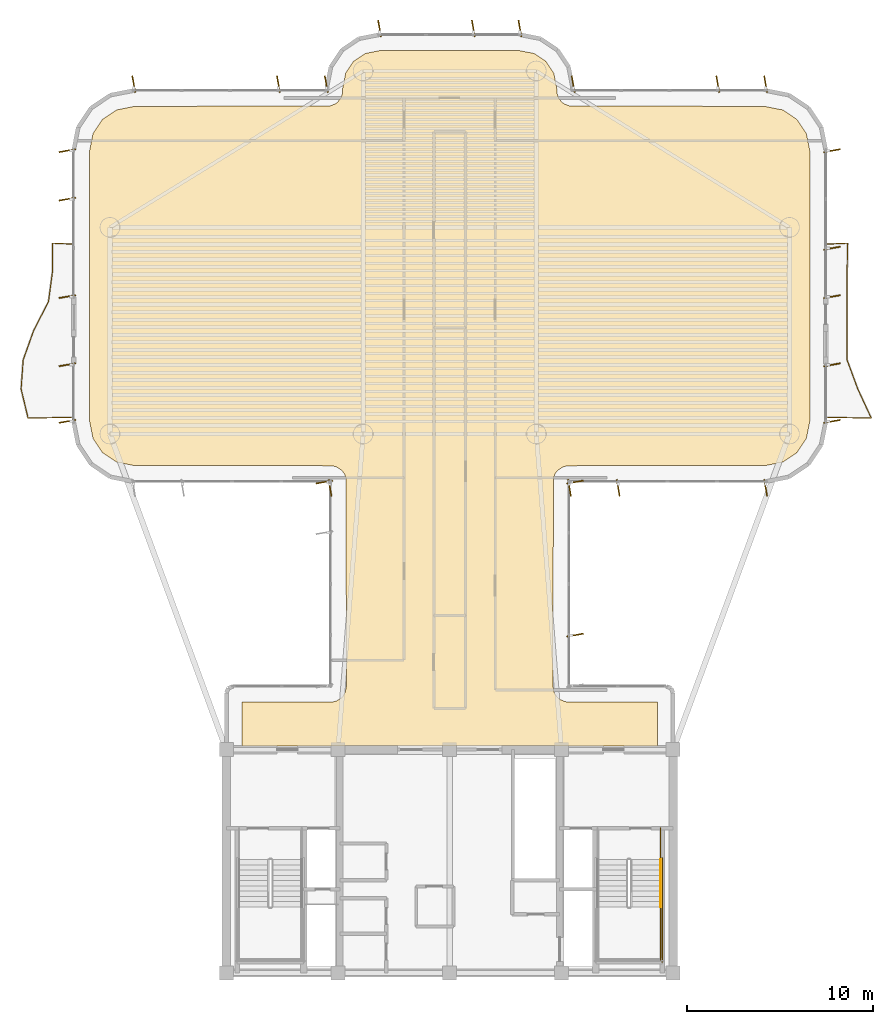
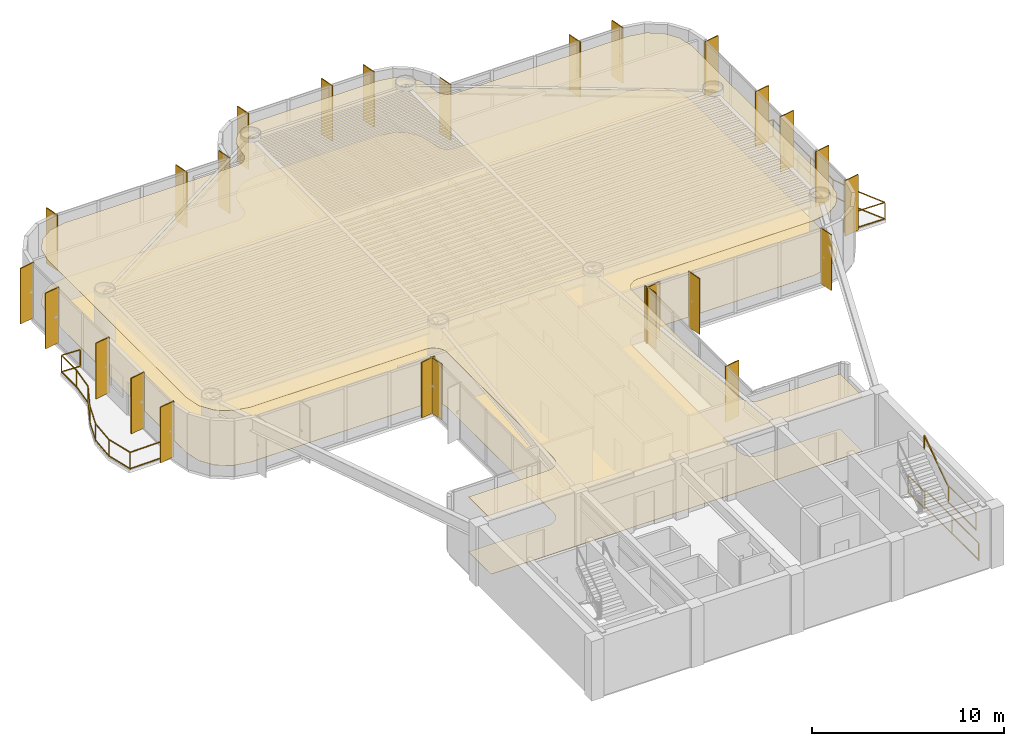
# One storey, part 13 of 13: 26 shading devices, 6 railings, 2 coverings.
"""IFC4 building model written with IfcOpenShell, lengths in metres."""

import ifcopenshell
import ifcopenshell.guid

model = None  # the IFC model being written
_history = None  # IfcOwnerHistory: only IFC2X3 demands one
_inside = {}  # id of a spatial element -> (the spatial element, [elements in it])
_under = {}  # id of a project, library or spatial element -> (it, [spatial elements below it])
_declared = {}  # id of a project -> (the project, [libraries it declares])
_typed = {}  # id of a type object -> (the type object, [elements of that type])
_made_of = {}  # id of a material, layer set ... -> (it, [elements and type objects made of it])


def new_model(schema):
    """Start an empty IFC model of exactly this schema.

    Asked for "IFC4X3", IfcOpenShell would pick the latest addendum, in which some entities
    have other attributes; the version numbers below select the first issue.
    IFC2X3 requires an IfcOwnerHistory on every rooted entity: one is made here for all.
    """
    global model, _history
    if schema == "IFC4X3":
        model = ifcopenshell.file(schema_version=(4, 3, 0, 0))
    else:
        model = ifcopenshell.file(schema=schema)
    _inside.clear()
    _under.clear()
    _declared.clear()
    _typed.clear()
    _made_of.clear()
    _history = None
    if model.schema == "IFC2X3":
        org = make("IfcOrganization", Name="unknown")
        user = make(
            "IfcPersonAndOrganization",
            ThePerson=make("IfcPerson", FamilyName="unknown"),
            TheOrganization=org,
        )
        app = make(
            "IfcApplication",
            ApplicationDeveloper=org,
            Version="unknown",
            ApplicationFullName="unknown",
            ApplicationIdentifier="unknown",
        )
        _history = make(
            "IfcOwnerHistory",
            OwningUser=user,
            OwningApplication=app,
            ChangeAction="ADDED",
            CreationDate=0,
        )
    return model


def make(cls, **values):
    """One entity of the class cls with the attributes given. An attribute that is None is left unset."""
    return model.create_entity(
        cls, **{name: value for name, value in values.items() if value is not None}
    )


def rooted(cls, **values):
    """An entity with a GlobalId (a new one), such as an element, a storey or a relation."""
    return make(cls, GlobalId=ifcopenshell.guid.new(), OwnerHistory=_history, **values)


def si_unit(unit_type, name, prefix=None):
    """IfcSIUnit, for example si_unit("LENGTHUNIT", "METRE", prefix="MILLI")."""
    return make("IfcSIUnit", UnitType=unit_type, Prefix=prefix, Name=name)


def assignment(units):
    """IfcUnitAssignment: the units of a project."""
    return None if units is None else make("IfcUnitAssignment", Units=units)


def point(xyz):
    """IfcCartesianPoint."""
    return None if xyz is None else make("IfcCartesianPoint", Coordinates=xyz)


def direction(xyz):
    """IfcDirection."""
    return None if xyz is None else make("IfcDirection", DirectionRatios=xyz)


def frame(location, z_axis=None, x_axis=None):
    """IfcAxis2Placement3D, a coordinate frame: its origin and axes. An axis left out is left unset."""
    return make(
        "IfcAxis2Placement3D",
        Location=point(location),
        Axis=direction(z_axis),
        RefDirection=direction(x_axis),
    )


def frame_2d(location, x_axis=None):
    """IfcAxis2Placement2D, a coordinate frame in the plane: its origin and x axis."""
    return make(
        "IfcAxis2Placement2D", Location=point(location), RefDirection=direction(x_axis)
    )


def origin():
    """The frame at (0, 0, 0) with its axes left unset."""
    return frame((0.0, 0.0, 0.0))


def origin_2d():
    """The frame at (0, 0) in the plane with its x axis left unset."""
    return frame_2d((0.0, 0.0))


def place(relative_to, where):
    """IfcLocalPlacement: puts the frame where relative to a parent placement (None: the world)."""
    return make(
        "IfcLocalPlacement", PlacementRelTo=relative_to, RelativePlacement=where
    )


def context(
    kind, dimensions, precision=None, world=None, true_north=None, identifier=None
):
    """IfcGeometricRepresentationContext, for example the 3D "Model" context."""
    return make(
        "IfcGeometricRepresentationContext",
        ContextIdentifier=identifier,
        ContextType=kind,
        CoordinateSpaceDimension=dimensions,
        Precision=precision,
        WorldCoordinateSystem=world,
        TrueNorth=true_north,
    )


def subcontext(parent, identifier, kind, view, scale=None):
    """IfcGeometricRepresentationSubContext, for example "Body" below "Model"."""
    return make(
        "IfcGeometricRepresentationSubContext",
        ContextIdentifier=identifier,
        ContextType=kind,
        ParentContext=parent,
        TargetScale=scale,
        TargetView=view,
    )


def project(units=None, contexts=None):
    """IfcProject with its units and contexts."""
    return rooted(
        "IfcProject",
        Name="project",
        RepresentationContexts=contexts,
        UnitsInContext=assignment(units),
    )


def spatial(cls, under=None, at=None, **own):
    """A site, building, storey or space (cls), placed at a placement, below another one or the project."""
    s = rooted(cls, ObjectPlacement=at, **own)
    if under is not None:
        _under.setdefault(under.id(), (under, []))[1].append(s)
    return s


def polyline(points):
    """IfcPolyline through the points."""
    return make("IfcPolyline", Points=[point(p) for p in points])


def profile(cls, at=None, kind="AREA", **sizes):
    """A parametric profile (cls). Its sizes go by their IFC names, for example OverallWidth=200.0."""
    return make(cls, ProfileType=kind, Position=at, **sizes)


def rectangle(**sizes):
    """IfcRectangleProfileDef."""
    return profile("IfcRectangleProfileDef", **sizes)


def outline(outer, holes=None, kind="AREA"):
    """IfcArbitraryClosedProfileDef: a profile drawn as a closed curve; with holes, ...WithVoids."""
    if holes is None:
        return make("IfcArbitraryClosedProfileDef", ProfileType=kind, OuterCurve=outer)
    return make(
        "IfcArbitraryProfileDefWithVoids",
        ProfileType=kind,
        OuterCurve=outer,
        InnerCurves=holes,
    )


def extrude(swept, where, along, depth):
    """IfcExtrudedAreaSolid: the profile swept, set in the frame where, extruded along a direction by depth."""
    return make(
        "IfcExtrudedAreaSolid",
        SweptArea=swept,
        Position=where,
        ExtrudedDirection=direction(along),
        Depth=depth,
    )


def shape(context_of_items, identifier, shape_type, items):
    """IfcShapeRepresentation: the items that make up one representation, for example the "Body"."""
    return make(
        "IfcShapeRepresentation",
        ContextOfItems=context_of_items,
        RepresentationIdentifier=identifier,
        RepresentationType=shape_type,
        Items=items,
    )


def source(mapping_origin, context_of_items, identifier, shape_type, items):
    """IfcRepresentationMap: a shape defined once, which mapped items show again and again."""
    return make(
        "IfcRepresentationMap",
        MappingOrigin=mapping_origin,
        MappedRepresentation=shape(context_of_items, identifier, shape_type, items),
    )


def transform(
    local_origin,
    x_axis=None,
    y_axis=None,
    z_axis=None,
    scale=None,
    scale2=None,
    scale3=None,
    uniform=True,
):
    """IfcCartesianTransformationOperator3D, or its non-uniform kind. x_axis, y_axis, z_axis: its Axis1, 2, 3."""
    if uniform:
        return make(
            "IfcCartesianTransformationOperator3D",
            Axis1=direction(x_axis),
            Axis2=direction(y_axis),
            LocalOrigin=point(local_origin),
            Scale=scale,
            Axis3=direction(z_axis),
        )
    return make(
        "IfcCartesianTransformationOperator3DnonUniform",
        Axis1=direction(x_axis),
        Axis2=direction(y_axis),
        LocalOrigin=point(local_origin),
        Scale=scale,
        Axis3=direction(z_axis),
        Scale2=scale2,
        Scale3=scale3,
    )


def mapped(mapping_source, mapping_target):
    """IfcMappedItem: shows the shape of a source again, moved by a transform."""
    return make(
        "IfcMappedItem", MappingSource=mapping_source, MappingTarget=mapping_target
    )


def material(Name=None, Category=None):
    """IfcMaterial."""
    return make("IfcMaterial", Name=Name, Category=Category)


def layer(
    of_material, thickness, ventilated=None, Name=None, Category=None, Priority=None
):
    """IfcMaterialLayer: one layer of a wall or slab, of a material (None: an air gap)."""
    return make(
        "IfcMaterialLayer",
        Material=of_material,
        LayerThickness=thickness,
        IsVentilated=ventilated,
        Name=Name,
        Category=Category,
        Priority=Priority,
    )


def layer_set(layers, Name=None):
    """IfcMaterialLayerSet."""
    return make("IfcMaterialLayerSet", MaterialLayers=layers, LayerSetName=Name)


def material_profile(
    of_material, cross_section, Name=None, Category=None, Priority=None
):
    """IfcMaterialProfile: a cross section and its material."""
    return make(
        "IfcMaterialProfile",
        Name=Name,
        Material=of_material,
        Profile=cross_section,
        Priority=Priority,
        Category=Category,
    )


def profile_set(profiles, Name=None, composite=None):
    """IfcMaterialProfileSet."""
    return make(
        "IfcMaterialProfileSet",
        Name=Name,
        MaterialProfiles=profiles,
        CompositeProfile=composite,
    )


def made_of(thing, what):
    """Note that an element or type object is made of a material, layer set ...; save() writes the relation."""
    if what is not None:
        _made_of.setdefault(what.id(), (what, []))[1].append(thing)
    return thing


def type_object(cls, material=None, **own):
    """A type object (cls), such as IfcWallType, which elements share."""
    return made_of(rooted(cls, **own), material)


def element(
    cls,
    number,
    at=None,
    inside=None,
    cuts=None,
    type_object=None,
    material=None,
    context=None,
    identifier="Body",
    shape_type=None,
    held_by="IfcProductDefinitionShape",
    body=None,
    shapes=None,
    **own,
):
    """One element of the class cls, such as IfcWall. Its Tag is "e" and its number.

    at: its placement. inside: the storey or other place that contains it. cuts: it is an
    opening in that element (IfcRelVoidsElement). A single representation is given by context,
    identifier, shape_type and body (its items); several are given by shapes. held_by: the class
    of the entity that holds the representations. save() writes the other relations.
    """
    e = rooted(cls, Tag="e%d" % number, ObjectPlacement=at, **own)
    if body is not None:
        shapes = [shape(context, identifier, shape_type, body)]
    if shapes is not None:
        e.Representation = make(held_by, Representations=shapes)
    if inside is not None:
        _inside.setdefault(inside.id(), (inside, []))[1].append(e)
    if cuts is not None:
        rooted(
            "IfcRelVoidsElement", RelatingBuildingElement=cuts, RelatedOpeningElement=e
        )
    if type_object is not None:
        _typed.setdefault(type_object.id(), (type_object, []))[1].append(e)
    return made_of(e, material)


def aggregate(whole, parts):
    """IfcRelAggregates: a whole, such as a stair, and the parts it consists of."""
    return rooted("IfcRelAggregates", RelatingObject=whole, RelatedObjects=parts)


def save(model, path):
    """Write the relations noted so far, then the file.

    IfcRelAggregates (storeys below a building ...), IfcRelContainedInSpatialStructure (elements
    in a storey), IfcRelDefinesByType, IfcRelAssociatesMaterial and IfcRelDeclares: one each for
    every whole, place, type object, material and project.
    """
    for whole, parts in _under.values():
        aggregate(whole, parts)
    for where, things in _inside.values():
        rooted(
            "IfcRelContainedInSpatialStructure",
            RelatedElements=things,
            RelatingStructure=where,
        )
    for kind, things in _typed.values():
        rooted("IfcRelDefinesByType", RelatedObjects=things, RelatingType=kind)
    for what, things in _made_of.values():
        rooted("IfcRelAssociatesMaterial", RelatedObjects=things, RelatingMaterial=what)
    for by, libraries in _declared.values():
        rooted("IfcRelDeclares", RelatingContext=by, RelatedDefinitions=libraries)
    model.write(path)


model = new_model("IFC4")

# Units and contexts
model_context = context("Model", 3, precision=1e-05, world=origin(), true_north=direction((0.0, 1.0)))
body_context = subcontext(model_context, "Body", "Model", "MODEL_VIEW")
ifc_project = project(units=[si_unit("LENGTHUNIT", "METRE"), si_unit("AREAUNIT", "SQUARE_METRE"), si_unit("VOLUMEUNIT", "CUBIC_METRE"), si_unit("PLANEANGLEUNIT", "RADIAN"), si_unit("MASSUNIT", "GRAM", prefix="KILO")], contexts=[model_context])

# Site, building, storey
site_placement = place(None, origin())
site = spatial("IfcSite", under=ifc_project, at=site_placement, CompositionType="ELEMENT")
building_placement = place(site_placement, origin())
building = spatial("IfcBuilding", under=site, at=building_placement, Name="Brelvock Crest Care Tower", CompositionType="ELEMENT")
storey_placement = place(building_placement, frame((0.0, 0.0, 190.43994140625)))
storey = spatial("IfcBuildingStorey", under=building, at=storey_placement, Name="L48", CompositionType="ELEMENT", Elevation=190.43994140625)

# Coverings
ifc_material_1 = material(Name="Mineral Fibre Acoustic Ceiling Tile", Category="gypsum")
ifc_layer_1 = layer(ifc_material_1, 0.02490234375, Name="COV-CLG1")
ifc_layer_set_1 = layer_set([ifc_layer_1], Name="Mineral Fibre Acoustic Ceiling Tile")
covering_type_1 = type_object("IfcCoveringType", Name="COV-CLG1", PredefinedType="CEILING", material=ifc_layer_set_1)
covering_1_placement = place(storey_placement, frame((0.0, 0.0, 3.47509765625)))
element("IfcCovering", 1, at=covering_1_placement, inside=storey, type_object=covering_type_1, Name="L48 Acoustic Suspended Ceiling 1", PredefinedType="CEILING", context=body_context, shape_type="SweptSolid", body=[
    extrude(outline(polyline([(24.85009765625, 18.199951171875), (47.14990234375, 18.199951171875), (47.14990234375, 20.550048828125), (42.316650390625, 20.55419921875), (42.1533203125, 20.586669921875), (41.927734375, 20.693359375), (41.742919921875, 20.86083984375), (41.61474609375, 21.07470703125), (41.550048828125, 21.39990234375), (41.56640625, 32.56591796875), (41.650390625, 32.80078125), (41.799072265625, 33.0009765625), (42.07470703125, 33.185302734375), (42.316650390625, 33.245849609375), (52.916259765625, 33.25), (53.892822265625, 33.4443359375), (54.64990234375, 33.9501953125), (55.15576171875, 34.70703125), (55.35009765625, 35.68359375), (55.35009765625, 50.1162109375), (55.15576171875, 51.093017578125), (54.64990234375, 51.849853515625), (53.892822265625, 52.355712890625), (52.916259765625, 52.550048828125), (42.43408203125, 52.56640625), (42.127685546875, 52.693359375), (41.9990234375, 52.799072265625), (41.850341796875, 52.999267578125), (41.766357421875, 53.234130859375), (41.75, 53.516357421875), (41.586181640625, 54.33984375), (41.1669921875, 54.967041015625), (40.539794921875, 55.38623046875), (39.71630859375, 55.550048828125), (32.28369140625, 55.550048828125), (31.460205078125, 55.38623046875), (30.8330078125, 54.967041015625), (30.413818359375, 54.33984375), (30.25, 53.516357421875), (30.233642578125, 53.234130859375), (30.149658203125, 52.999267578125), (30.0009765625, 52.799072265625), (29.872314453125, 52.693359375), (29.56591796875, 52.56640625), (19.083740234375, 52.550048828125), (18.107177734375, 52.355712890625), (17.35009765625, 51.849853515625), (16.84423828125, 51.093017578125), (16.64990234375, 50.1162109375), (16.64990234375, 35.68359375), (16.84423828125, 34.70703125), (17.35009765625, 33.9501953125), (18.107177734375, 33.4443359375), (19.083740234375, 33.25), (29.683349609375, 33.245849609375), (29.92529296875, 33.185302734375), (30.200927734375, 33.0009765625), (30.349609375, 32.80078125), (30.43359375, 32.56591796875), (30.449951171875, 21.39990234375), (30.38525390625, 21.07470703125), (30.257080078125, 20.86083984375), (30.13916015625, 20.742919921875), (29.92529296875, 20.61474609375), (29.683349609375, 20.55419921875), (24.85009765625, 20.550048828125), (24.85009765625, 18.199951171875)])), origin(), (0.0, 0.0, 1.0), 0.02490234375),
])
ifc_material_2 = material(Name="Slip-Resistant Acoustic Vinyl Flooring", Category="finish")
ifc_layer_2 = layer(ifc_material_2, 0.014892578125, Name="COV-FLR1")
ifc_layer_set_2 = layer_set([ifc_layer_2], Name="Slip-Resistant Acoustic Vinyl Flooring")
covering_type_2 = type_object("IfcCoveringType", Name="COV-FLR1", PredefinedType="FLOORING", material=ifc_layer_set_2)
covering_2_placement = place(storey_placement, origin())
element("IfcCovering", 2, at=covering_2_placement, inside=storey, type_object=covering_type_2, Name="L48 Slip-Resistant Acoustic Flooring 1", PredefinedType="FLOORING", context=body_context, shape_type="SweptSolid", body=[
    extrude(outline(polyline([(24.85009765625, 18.199951171875), (47.14990234375, 18.199951171875), (47.14990234375, 20.550048828125), (42.316650390625, 20.55419921875), (42.1533203125, 20.586669921875), (41.927734375, 20.693359375), (41.742919921875, 20.86083984375), (41.61474609375, 21.07470703125), (41.550048828125, 21.39990234375), (41.56640625, 32.56591796875), (41.650390625, 32.80078125), (41.799072265625, 33.0009765625), (42.07470703125, 33.185302734375), (42.316650390625, 33.245849609375), (52.916259765625, 33.25), (53.892822265625, 33.4443359375), (54.64990234375, 33.9501953125), (55.15576171875, 34.70703125), (55.35009765625, 35.68359375), (55.35009765625, 50.1162109375), (55.15576171875, 51.093017578125), (54.64990234375, 51.849853515625), (53.892822265625, 52.355712890625), (52.916259765625, 52.550048828125), (42.43408203125, 52.56640625), (42.127685546875, 52.693359375), (41.9990234375, 52.799072265625), (41.850341796875, 52.999267578125), (41.766357421875, 53.234130859375), (41.75, 53.516357421875), (41.586181640625, 54.33984375), (41.1669921875, 54.967041015625), (40.539794921875, 55.38623046875), (39.71630859375, 55.550048828125), (32.28369140625, 55.550048828125), (31.460205078125, 55.38623046875), (30.8330078125, 54.967041015625), (30.413818359375, 54.33984375), (30.25, 53.516357421875), (30.233642578125, 53.234130859375), (30.149658203125, 52.999267578125), (30.0009765625, 52.799072265625), (29.872314453125, 52.693359375), (29.56591796875, 52.56640625), (19.083740234375, 52.550048828125), (18.107177734375, 52.355712890625), (17.35009765625, 51.849853515625), (16.84423828125, 51.093017578125), (16.64990234375, 50.1162109375), (16.64990234375, 35.68359375), (16.84423828125, 34.70703125), (17.35009765625, 33.9501953125), (18.107177734375, 33.4443359375), (19.083740234375, 33.25), (29.683349609375, 33.245849609375), (29.92529296875, 33.185302734375), (30.200927734375, 33.0009765625), (30.349609375, 32.80078125), (30.43359375, 32.56591796875), (30.449951171875, 21.39990234375), (30.38525390625, 21.07470703125), (30.257080078125, 20.86083984375), (30.13916015625, 20.742919921875), (29.92529296875, 20.61474609375), (29.683349609375, 20.55419921875), (24.85009765625, 20.550048828125), (24.85009765625, 18.199951171875)])), origin(), (0.0, 0.0, 1.0), 0.01513671875),
])

# Railings
ifc_material_3 = material(Name="Dark Glass Double Glazed Low-E", Category="glass")
ifc_layer_3 = layer(ifc_material_3, 0.06005859375, Name="RL-BAL1")
ifc_layer_set_3 = layer_set([ifc_layer_3], Name="Dark Glass Double Glazed Low-E")
railing_type_1 = type_object("IfcRailingType", Name="RL-BAL1", PredefinedType="BALUSTRADE", material=ifc_layer_set_3)
railing_1_placement = place(storey_placement, frame((15.760009765625, 35.85009765625, 0.004150390625)))
element("IfcRailing", 3, at=railing_1_placement, inside=storey, type_object=railing_type_1, Name="L48 Safety Balustrade WB-W", PredefinedType="BALUSTRADE", context=body_context, shape_type="SweptSolid", body=[
    extrude(rectangle(XDim=0.048095703125, YDim=0.048095703125, at=origin_2d()), frame((-0.001953125, 0.0, 1.09619140625), z_axis=(-0.999783452903, -0.020809788592, 0.0), x_axis=(0.020809788592, -0.999783452903, 0.0)), (0.0, 0.0, 1.0), 2.401123046875),
    extrude(rectangle(XDim=0.048095703125, YDim=0.048095703125, at=origin_2d()), frame((-0.001953125, 0.0, 0.054931640625), z_axis=(-0.999783452903, -0.020809788592, 0.0), x_axis=(0.020809788592, -0.999783452903, 0.0)), (0.0, 0.0, 1.0), 2.401123046875),
    extrude(rectangle(XDim=0.048095703125, YDim=0.048095703125, at=origin_2d()), frame((-2.405029296875, -0.048095703125, 1.09619140625), z_axis=(-0.233361490021, 0.972390052898, 0.0), x_axis=(-0.972390052898, -0.233361490021, 0.0)), (0.0, 0.0, 1.0), 1.607177734375),
    extrude(rectangle(XDim=0.048095703125, YDim=0.048095703125, at=origin_2d()), frame((-2.405029296875, -0.048095703125, 0.054931640625), z_axis=(-0.233361490021, 0.972390052898, 0.0), x_axis=(-0.972390052898, -0.233361490021, 0.0)), (0.0, 0.0, 1.0), 1.607177734375),
    extrude(rectangle(XDim=0.048095703125, YDim=0.048095703125, at=origin_2d()), frame((-2.7802734375, 1.5185546875, 1.09619140625), z_axis=(0.071346467425, 0.997451593605, 0.0), x_axis=(-0.997451593605, 0.071346467425, 0.0)), (0.0, 0.0, 1.0), 1.566650390625),
    extrude(rectangle(XDim=0.048095703125, YDim=0.048095703125, at=origin_2d()), frame((-2.7802734375, 1.5185546875, 0.054931640625), z_axis=(0.071346467425, 0.997451593605, 0.0), x_axis=(-0.997451593605, 0.071346467425, 0.0)), (0.0, 0.0, 1.0), 1.566650390625),
    extrude(rectangle(XDim=0.048095703125, YDim=0.048095703125, at=origin_2d()), frame((-2.667724609375, 3.085205078125, 1.09619140625), z_axis=(0.335973745247, 0.941871351356, 0.0), x_axis=(-0.941871351356, 0.335973745247, 0.0)), (0.0, 0.0, 1.0), 1.659423828125),
    extrude(rectangle(XDim=0.048095703125, YDim=0.048095703125, at=origin_2d()), frame((-2.667724609375, 3.085205078125, 0.054931640625), z_axis=(0.335973745247, 0.941871351356, 0.0), x_axis=(-0.941871351356, 0.335973745247, 0.0)), (0.0, 0.0, 1.0), 1.659423828125),
    extrude(rectangle(XDim=0.048095703125, YDim=0.048095703125, at=origin_2d()), frame((-2.108642578125, 4.651611328125, 1.09619140625), z_axis=(0.4551330635, 0.890423435512, 0.0), x_axis=(-0.890423435512, 0.4551330635, 0.0)), (0.0, 0.0, 1.0), 1.75537109375),
    extrude(rectangle(XDim=0.048095703125, YDim=0.048095703125, at=origin_2d()), frame((-2.108642578125, 4.651611328125, 0.054931640625), z_axis=(0.4551330635, 0.890423435512, 0.0), x_axis=(-0.890423435512, 0.4551330635, 0.0)), (0.0, 0.0, 1.0), 1.75537109375),
    extrude(rectangle(XDim=0.048095703125, YDim=0.048095703125, at=origin_2d()), frame((-1.30859375, 6.218505859375, 1.09619140625), z_axis=(0.132072655877, 0.99124003832, 0.0), x_axis=(-0.99124003832, 0.132072655877, 0.0)), (0.0, 0.0, 1.0), 1.576416015625),
    extrude(rectangle(XDim=0.048095703125, YDim=0.048095703125, at=origin_2d()), frame((-1.30859375, 6.218505859375, 0.054931640625), z_axis=(0.132072655877, 0.99124003832, 0.0), x_axis=(-0.99124003832, 0.132072655877, 0.0)), (0.0, 0.0, 1.0), 1.576416015625),
    extrude(rectangle(XDim=0.048095703125, YDim=0.048095703125, at=origin_2d()), frame((-1.10009765625, 7.78515625, 1.09619140625), z_axis=(0.0, 1.0, 0.0), x_axis=(-1.0, 0.0, 0.0)), (0.0, 0.0, 1.0), 1.562744140625),
    extrude(rectangle(XDim=0.048095703125, YDim=0.048095703125, at=origin_2d()), frame((-1.10009765625, 7.78515625, 0.054931640625), z_axis=(0.0, 1.0, 0.0), x_axis=(-1.0, 0.0, 0.0)), (0.0, 0.0, 1.0), 1.562744140625),
    extrude(rectangle(XDim=0.048095703125, YDim=0.048095703125, at=origin_2d()), frame((-1.09814453125, 9.349853515625, 1.09619140625), z_axis=(0.998966710972, -0.045447886318, 0.0), x_axis=(0.045447886318, 0.998966710972, 0.0)), (0.0, 0.0, 1.0), 1.09716796875),
    extrude(rectangle(XDim=0.048095703125, YDim=0.048095703125, at=origin_2d()), frame((-1.09814453125, 9.349853515625, 0.054931640625), z_axis=(0.998966710972, -0.045447886318, 0.0), x_axis=(0.045447886318, 0.998966710972, 0.0)), (0.0, 0.0, 1.0), 1.09716796875),
    extrude(rectangle(XDim=0.0419921875, YDim=0.0419921875, at=origin_2d()), origin(), (0.0, 0.0, 1.0), 1.070068359375),
    extrude(rectangle(XDim=0.0419921875, YDim=0.0419921875, at=origin_2d()), frame((-2.404541015625, -0.050048828125, 0.0)), (0.0, 0.0, 1.0), 1.070068359375),
    extrude(rectangle(XDim=0.0419921875, YDim=0.0419921875, at=origin_2d()), frame((-2.780517578125, 1.5166015625, 0.0)), (0.0, 0.0, 1.0), 1.070068359375),
    extrude(rectangle(XDim=0.0419921875, YDim=0.0419921875, at=origin_2d()), frame((-2.66845703125, 3.083251953125, 0.0)), (0.0, 0.0, 1.0), 1.070068359375),
    extrude(rectangle(XDim=0.0419921875, YDim=0.0419921875, at=origin_2d()), frame((-2.109619140625, 4.64990234375, 0.0)), (0.0, 0.0, 1.0), 1.070068359375),
    extrude(rectangle(XDim=0.0419921875, YDim=0.0419921875, at=origin_2d()), frame((-1.308837890625, 6.216552734375, 0.0)), (0.0, 0.0, 1.0), 1.070068359375),
    extrude(rectangle(XDim=0.0419921875, YDim=0.0419921875, at=origin_2d()), frame((-1.10009765625, 7.783203125, 0.0)), (0.0, 0.0, 1.0), 1.070068359375),
    extrude(rectangle(XDim=0.0419921875, YDim=0.0419921875, at=origin_2d()), frame((-1.10009765625, 9.349853515625, 0.0)), (0.0, 0.0, 1.0), 1.070068359375),
    extrude(rectangle(XDim=0.0419921875, YDim=0.0419921875, at=origin_2d()), frame((0.0, 9.2998046875, 0.0)), (0.0, 0.0, 1.0), 1.070068359375),
])
railing_2_placement = place(storey_placement, frame((56.239990234375, 35.85009765625, 0.004150390625)))
element("IfcRailing", 4, at=railing_2_placement, inside=storey, type_object=railing_type_1, Name="L48 Safety Balustrade WB-E", PredefinedType="BALUSTRADE", context=body_context, shape_type="SweptSolid", body=[
    extrude(rectangle(XDim=0.048095703125, YDim=0.048095703125, at=origin_2d()), frame((0.001953125, 0.0, 1.09619140625), z_axis=(0.999783452903, -0.020809788592, 0.0), x_axis=(0.020809788592, 0.999783452903, 0.0)), (0.0, 0.0, 1.0), 2.401123046875),
    extrude(rectangle(XDim=0.048095703125, YDim=0.048095703125, at=origin_2d()), frame((0.001953125, 0.0, 0.054931640625), z_axis=(0.999783452903, -0.020809788592, 0.0), x_axis=(0.020809788592, 0.999783452903, 0.0)), (0.0, 0.0, 1.0), 2.401123046875),
    extrude(rectangle(XDim=0.048095703125, YDim=0.048095703125, at=origin_2d()), frame((2.40380859375, -0.04833984375, 1.09619140625), z_axis=(-0.42037583984, 0.907350072066, 0.0), x_axis=(-0.907350072066, -0.42037583984, 0.0)), (0.0, 0.0, 1.0), 1.72265625),
    extrude(rectangle(XDim=0.048095703125, YDim=0.048095703125, at=origin_2d()), frame((2.40380859375, -0.04833984375, 0.054931640625), z_axis=(-0.42037583984, 0.907350072066, 0.0), x_axis=(-0.907350072066, -0.42037583984, 0.0)), (0.0, 0.0, 1.0), 1.72265625),
    extrude(rectangle(XDim=0.048095703125, YDim=0.048095703125, at=origin_2d()), frame((1.677978515625, 1.5185546875, 1.09619140625), z_axis=(-0.346457206502, 0.938065778111, 0.0), x_axis=(-0.938065778111, -0.346457206502, 0.0)), (0.0, 0.0, 1.0), 1.666015625),
    extrude(rectangle(XDim=0.048095703125, YDim=0.048095703125, at=origin_2d()), frame((1.677978515625, 1.5185546875, 0.054931640625), z_axis=(-0.346457206502, 0.938065778111, 0.0), x_axis=(-0.938065778111, -0.346457206502, 0.0)), (0.0, 0.0, 1.0), 1.666015625),
    extrude(rectangle(XDim=0.048095703125, YDim=0.048095703125, at=origin_2d()), frame((1.10009765625, 3.085205078125, 1.09619140625), z_axis=(0.0, 1.0, 0.0), x_axis=(-1.0, 0.0, 0.0)), (0.0, 0.0, 1.0), 4.696044921875),
    extrude(rectangle(XDim=0.048095703125, YDim=0.048095703125, at=origin_2d()), frame((1.10009765625, 3.085205078125, 0.054931640625), z_axis=(0.0, 1.0, 0.0), x_axis=(-1.0, 0.0, 0.0)), (0.0, 0.0, 1.0), 4.696044921875),
    extrude(rectangle(XDim=0.048095703125, YDim=0.048095703125, at=origin_2d()), frame((1.10009765625, 7.78515625, 1.09619140625), z_axis=(0.022123304576, 0.999755249746, 0.0), x_axis=(-0.999755249746, 0.022123304576, 0.0)), (0.0, 0.0, 1.0), 1.56298828125),
    extrude(rectangle(XDim=0.048095703125, YDim=0.048095703125, at=origin_2d()), frame((1.10009765625, 7.78515625, 0.054931640625), z_axis=(0.022123304576, 0.999755249746, 0.0), x_axis=(-0.999755249746, 0.022123304576, 0.0)), (0.0, 0.0, 1.0), 1.56298828125),
    extrude(rectangle(XDim=0.048095703125, YDim=0.048095703125, at=origin_2d()), frame((1.1328125, 9.349853515625, 1.09619140625), z_axis=(-0.99902879157, -0.044062156255, 0.0), x_axis=(0.044062156255, -0.99902879157, 0.0)), (0.0, 0.0, 1.0), 1.1318359375),
    extrude(rectangle(XDim=0.048095703125, YDim=0.048095703125, at=origin_2d()), frame((1.1328125, 9.349853515625, 0.054931640625), z_axis=(-0.99902879157, -0.044062156255, 0.0), x_axis=(0.044062156255, -0.99902879157, 0.0)), (0.0, 0.0, 1.0), 1.1318359375),
    extrude(rectangle(XDim=0.0419921875, YDim=0.0419921875, at=origin_2d()), origin(), (0.0, 0.0, 1.0), 1.070068359375),
    extrude(rectangle(XDim=0.0419921875, YDim=0.0419921875, at=origin_2d()), frame((2.404541015625, -0.050048828125, 0.0)), (0.0, 0.0, 1.0), 1.070068359375),
    extrude(rectangle(XDim=0.0419921875, YDim=0.0419921875, at=origin_2d()), frame((1.6787109375, 1.5166015625, 0.0)), (0.0, 0.0, 1.0), 1.070068359375),
    extrude(rectangle(XDim=0.0419921875, YDim=0.0419921875, at=origin_2d()), frame((1.10009765625, 3.083251953125, 0.0)), (0.0, 0.0, 1.0), 1.070068359375),
    extrude(rectangle(XDim=0.0419921875, YDim=0.0419921875, at=origin_2d()), frame((1.10009765625, 5.43310546875, 0.0)), (0.0, 0.0, 1.0), 1.070068359375),
    extrude(rectangle(XDim=0.0419921875, YDim=0.0419921875, at=origin_2d()), frame((1.10009765625, 7.783203125, 0.0)), (0.0, 0.0, 1.0), 1.070068359375),
    extrude(rectangle(XDim=0.0419921875, YDim=0.0419921875, at=origin_2d()), frame((1.134765625, 9.349853515625, 0.0)), (0.0, 0.0, 1.0), 1.070068359375),
    extrude(rectangle(XDim=0.0419921875, YDim=0.0419921875, at=origin_2d()), frame((0.0, 9.2998046875, 0.0)), (0.0, 0.0, 1.0), 1.070068359375),
])
ifc_material_4 = material(Name="Steel Grade 350", Category="steel")
ifc_layer_4 = layer(ifc_material_4, 0.050048828125, Name="RL-STG1")
ifc_layer_set_4 = layer_set([ifc_layer_4], Name="Steel Grade 350")
railing_type_2 = type_object("IfcRailingType", Name="RL-STG1", PredefinedType="GUARDRAIL", material=ifc_layer_set_4)
railing_3_placement = place(storey_placement, frame((47.320068359375, 9.56005859375, 1.89013671875)))
element("IfcRailing", 5, at=railing_3_placement, inside=storey, type_object=railing_type_2, Name="L48 ST-2 stair guard 4", PredefinedType="GUARDRAIL", context=body_context, shape_type="SweptSolid", body=[
    extrude(rectangle(XDim=0.048095703125, YDim=0.048095703125, at=origin_2d()), frame((0.0, -0.001953125, 1.11572265625), z_axis=(0.0, -1.0, 0.0), x_axis=(1.0, 0.0, 0.0)), (0.0, 0.0, 1.0), 2.856201171875),
    extrude(rectangle(XDim=0.048095703125, YDim=0.048095703125, at=origin_2d()), frame((0.0, -0.001953125, 0.054931640625), z_axis=(0.0, -1.0, 0.0), x_axis=(1.0, 0.0, 0.0)), (0.0, 0.0, 1.0), 2.856201171875),
    extrude(rectangle(XDim=0.0419921875, YDim=0.0419921875, at=origin_2d()), origin(), (0.0, 0.0, 1.0), 1.08984375),
    extrude(rectangle(XDim=0.0419921875, YDim=0.0419921875, at=origin_2d()), frame((0.0, -2.860107421875, 0.0)), (0.0, 0.0, 1.0), 1.08984375),
])
railing_4_placement = place(storey_placement, frame((47.320068359375, 13.780029296875, 0.0)))
element("IfcRailing", 6, at=railing_4_placement, inside=storey, type_object=railing_type_2, Name="L48 ST-2 stair guard 9", PredefinedType="GUARDRAIL", context=body_context, shape_type="SweptSolid", body=[
    extrude(rectangle(XDim=0.048095703125, YDim=0.048095703125, at=origin_2d()), frame((0.0, -0.001953125, 1.11572265625), z_axis=(0.0, -1.0, 0.0), x_axis=(1.0, 0.0, 0.0)), (0.0, 0.0, 1.0), 1.696044921875),
    extrude(rectangle(XDim=0.048095703125, YDim=0.048095703125, at=origin_2d()), frame((0.0, -0.001953125, 0.054931640625), z_axis=(0.0, -1.0, 0.0), x_axis=(1.0, 0.0, 0.0)), (0.0, 0.0, 1.0), 1.696044921875),
    extrude(rectangle(XDim=0.0419921875, YDim=0.0419921875, at=origin_2d()), origin(), (0.0, 0.0, 1.0), 1.08984375),
    extrude(rectangle(XDim=0.0419921875, YDim=0.0419921875, at=origin_2d()), frame((0.0, -1.699951171875, 0.0)), (0.0, 0.0, 1.0), 1.08984375),
])
railing_5_placement = place(storey_placement, frame((47.419921875, 12.179931640625, 0.0)))
element("IfcRailing", 7, at=railing_5_placement, inside=storey, type_object=railing_type_2, Name="L48 ST-2 stair guard 11", PredefinedType="GUARDRAIL", context=body_context, shape_type="SweptSolid", body=[
    extrude(rectangle(XDim=0.048095703125, YDim=0.048095703125, at=origin_2d()), frame((0.0, -0.001953125, 1.11572265625), z_axis=(0.0, -1.0, 0.0), x_axis=(1.0, 0.0, 0.0)), (0.0, 0.0, 1.0), 5.575927734375),
    extrude(rectangle(XDim=0.048095703125, YDim=0.048095703125, at=origin_2d()), frame((0.0, -0.001953125, 0.054931640625), z_axis=(0.0, -1.0, 0.0), x_axis=(1.0, 0.0, 0.0)), (0.0, 0.0, 1.0), 5.575927734375),
    extrude(rectangle(XDim=0.0419921875, YDim=0.0419921875, at=origin_2d()), origin(), (0.0, 0.0, 1.0), 1.08984375),
    extrude(rectangle(XDim=0.0419921875, YDim=0.0419921875, at=origin_2d()), frame((0.0, -2.7900390625, 0.0)), (0.0, 0.0, 1.0), 1.08984375),
    extrude(rectangle(XDim=0.0419921875, YDim=0.0419921875, at=origin_2d()), frame((0.0, -5.579833984375, 0.0)), (0.0, 0.0, 1.0), 1.08984375),
])
ifc_layer_5 = layer(ifc_material_4, 0.048095703125, Name="RL-STH1")
ifc_layer_set_5 = layer_set([ifc_layer_5], Name="Steel Grade 350")
railing_type_3 = type_object("IfcRailingType", Name="RL-STH1", PredefinedType="HANDRAIL", material=ifc_layer_set_5)
railing_6_placement = place(storey_placement, frame((47.320068359375, 9.56005859375, 2.0791015625)))
element("IfcRailing", 8, at=railing_6_placement, inside=storey, type_object=railing_type_3, Name="L48 ST-2 stair handrail 2", PredefinedType="HANDRAIL", context=body_context, shape_type="SweptSolid", body=[
    extrude(rectangle(XDim=0.048095703125, YDim=0.048095703125, at=origin_2d()), frame((0.0, 0.001708984375, 0.876953125), z_axis=(0.0, 0.828861706735, 0.559453546873), x_axis=(-1.0, 0.0, 0.0)), (0.0, 0.0, 1.0), 3.036376953125),
    extrude(rectangle(XDim=0.0419921875, YDim=0.0419921875, at=origin_2d()), origin(), (0.0, 0.0, 1.0), 0.849853515625),
    extrude(rectangle(XDim=0.0419921875, YDim=0.0419921875, at=origin_2d()), frame((0.0, 2.52001953125, 1.700927734375)), (0.0, 0.0, 1.0), 0.849853515625),
])

# Shading devices
ifc_material_5 = material(Name="Aluminium 6063-T6", Category="aluminium")
ifc_material_profile = material_profile(ifc_material_5, rectangle(XDim=0.054931640625, YDim=0.89990234375, at=origin_2d()), Name="FIN55x900")
ifc_profile_set = profile_set([ifc_material_profile], Name="Aluminium 6063-T6")
shading_device_type = type_object("IfcShadingDeviceType", Name="SHD-FIN1", PredefinedType="USERDEFINED", material=ifc_profile_set)
shared_shape = source(origin(), body_context, "Body", "SweptSolid", [
    extrude(rectangle(XDim=0.054931640625, YDim=0.89990234375, at=origin_2d()), origin(), (0.0, 0.0, 1.0), 3.530029296875),
])
for number, where, z_axis, x_axis, name in (
    (9, (29.260009765625, 32.3701171875, 0.0), (0.0, 0.0, 1.0), (-0.173648177667, 0.984807753012, 0.0), "L48 Vertical Sunshade Fin E11-05"),
    (10, (29.570068359375, 32.06005859375, 0.0), (0.0, 0.0, 1.0), (-0.984807753012, -0.173648177667, 0.0), "L48 Vertical Sunshade Fin E12-01"),
    (11, (15.4599609375, 35.6298828125, 0.0), (0.0, 0.0, 1.0), (-0.173648177667, 0.984807753012, 0.0), "L48 Vertical Sunshade Fin E17A-01"),
    (12, (15.4599609375, 38.669921875, 0.0), (0.0, 0.0, 1.0), (-0.173648177667, 0.984807753012, 0.0), "L48 Vertical Sunshade Fin E17A-02"),
    (13, (15.4599609375, 42.330078125, 0.0), (0.0, 0.0, 1.0), (-0.173648177667, 0.984807753012, 0.0), "L48 Vertical Sunshade Fin E17B-01"),
    (14, (15.4599609375, 47.566650390625, 0.0), (0.0, 0.0, 1.0), (-0.173648177667, 0.984807753012, 0.0), "L48 Vertical Sunshade Fin E17B-03"),
    (15, (15.4599609375, 50.169921875, 0.0), (0.0, 0.0, 1.0), (-0.173648177667, 0.984807753012, 0.0), "L48 Vertical Sunshade Fin E17B-04"),
    (16, (19.030029296875, 53.739990234375, 0.0), (0.0, 0.0, 1.0), (0.984807753012, 0.173648177667, 0.0), "L48 Vertical Sunshade Fin E22-01"),
    (17, (26.800048828125, 53.739990234375, 0.0), (0.0, 0.0, 1.0), (0.984807753012, 0.173648177667, 0.0), "L48 Vertical Sunshade Fin E22-04"),
    (18, (29.3701171875, 53.739990234375, 0.0), (0.0, 0.0, 1.0), (0.984807753012, 0.173648177667, 0.0), "L48 Vertical Sunshade Fin E22-05"),
    (19, (32.22998046875, 56.739990234375, 0.0), (0.0, 0.0, 1.0), (0.984807753012, 0.173648177667, 0.0), "L48 Vertical Sunshade Fin E28-01"),
    (20, (37.2666015625, 56.739990234375, 0.0), (0.0, 0.0, 1.0), (0.984807753012, 0.173648177667, 0.0), "L48 Vertical Sunshade Fin E28-03"),
    (21, (39.77001953125, 56.739990234375, 0.0), (0.0, 0.0, 1.0), (0.984807753012, 0.173648177667, 0.0), "L48 Vertical Sunshade Fin E28-04"),
    (22, (42.6298828125, 53.739990234375, 0.0), (0.0, 0.0, 1.0), (0.984807753012, 0.173648177667, 0.0), "L48 Vertical Sunshade Fin E34-01"),
    (23, (50.39990234375, 53.739990234375, 0.0), (0.0, 0.0, 1.0), (0.984807753012, 0.173648177667, 0.0), "L48 Vertical Sunshade Fin E34-04"),
    (24, (52.969970703125, 53.739990234375, 0.0), (0.0, 0.0, 1.0), (0.984807753012, 0.173648177667, 0.0), "L48 Vertical Sunshade Fin E34-05"),
    (25, (56.5400390625, 50.169921875, 0.0), (0.0, 0.0, 1.0), (0.173648177667, -0.984807753012, 0.0), "L48 Vertical Sunshade Fin E39A-01"),
    (26, (56.5400390625, 44.933349609375, 0.0), (0.0, 0.0, 1.0), (0.173648177667, -0.984807753012, 0.0), "L48 Vertical Sunshade Fin E39A-03"),
    (27, (56.5400390625, 42.330078125, 0.0), (0.0, 0.0, 1.0), (0.173648177667, -0.984807753012, 0.0), "L48 Vertical Sunshade Fin E39A-04"),
    (28, (56.5400390625, 38.669921875, 0.0), (0.0, 0.0, 1.0), (0.173648177667, -0.984807753012, 0.0), "L48 Vertical Sunshade Fin E39B-01"),
    (29, (56.5400390625, 35.6298828125, 0.0), (0.0, 0.0, 1.0), (0.173648177667, -0.984807753012, 0.0), "L48 Vertical Sunshade Fin E39B-02"),
    (30, (52.969970703125, 32.06005859375, 0.0), (0.0, 0.0, 1.0), (-0.984807753012, -0.173648177667, 0.0), "L48 Vertical Sunshade Fin E44-01"),
    (31, (45.050048828125, 32.06005859375, 0.0), (0.0, 0.0, 1.0), (-0.984807753012, -0.173648177667, 0.0), "L48 Vertical Sunshade Fin E44-04"),
    (32, (42.429931640625, 32.06005859375, 0.0), (0.0, 0.0, 1.0), (-0.984807753012, -0.173648177667, 0.0), "L48 Vertical Sunshade Fin E44-05"),
    (33, (42.739990234375, 32.3701171875, 0.0), (0.0, 0.0, 1.0), (0.173648177667, -0.984807753012, 0.0), "L48 Vertical Sunshade Fin E45-01"),
    (34, (42.739990234375, 24.14990234375, 0.0), (0.0, 0.0, 1.0), (0.173648177667, -0.984807753012, 0.0), "L48 Vertical Sunshade Fin E45-04"),
):
    element("IfcShadingDevice", number, at=place(storey_placement, frame(where, z_axis=z_axis, x_axis=x_axis)), inside=storey, type_object=shading_device_type, Name=name, ObjectType="FIN", PredefinedType="USERDEFINED", context=body_context, shape_type="MappedRepresentation", body=[
        mapped(shared_shape, transform((0.0, 0.0, 0.0), x_axis=(1.0, 0.0, 0.0), y_axis=(0.0, 1.0, 0.0), z_axis=(0.0, 0.0, 1.0), scale=1.0)),
    ])

save(model, "model.ifc")
